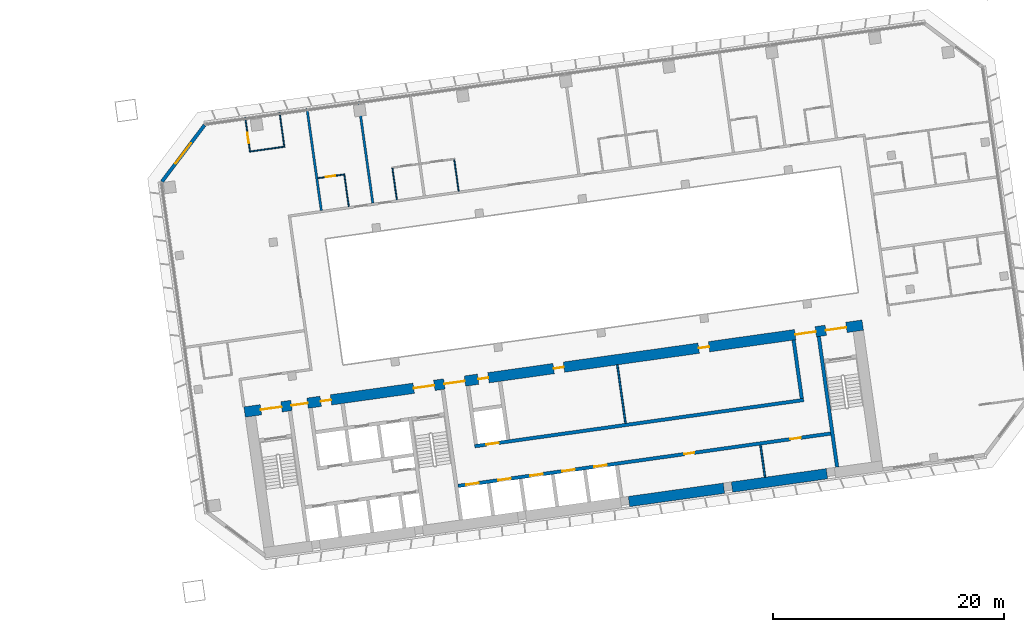
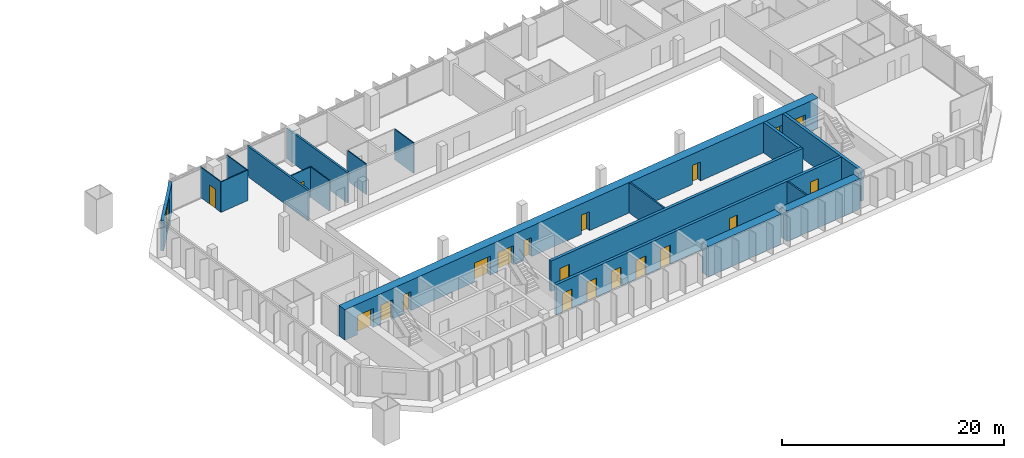
# One storey, part 19 of 24: 20 doors, 19 walls, 1 window, 21 openings.
"""IFC4 building model written with IfcOpenShell, lengths in metres."""

from ifc_helpers import new_model, si_unit, direction, frame, frame_2d, origin, place, context, subcontext, project, spatial, rectangle, extrude, material, layer, layer_set, type_object, element, fill, save


model = new_model("IFC4")

# Units and contexts
model_context = context("Model", 3, precision=1e-05, world=origin(), true_north=direction((0.0, 1.0)))
body_context = subcontext(model_context, "Body", "Model", "MODEL_VIEW")
ifc_project = project(units=[si_unit("LENGTHUNIT", "METRE"), si_unit("AREAUNIT", "SQUARE_METRE"), si_unit("VOLUMEUNIT", "CUBIC_METRE"), si_unit("PLANEANGLEUNIT", "RADIAN"), si_unit("MASSUNIT", "GRAM", prefix="KILO")], contexts=[model_context])

# Site, building, storey
site_placement = place(None, origin())
site = spatial("IfcSite", under=ifc_project, at=site_placement, CompositionType="ELEMENT")
building_placement = place(site_placement, origin())
building = spatial("IfcBuilding", under=site, at=building_placement, Name="Mirante Cascada Hotel Towers", CompositionType="ELEMENT")
storey_placement = place(building_placement, frame((0.0, 0.0, 81.3)))
storey = spatial("IfcBuildingStorey", under=building, at=storey_placement, Name="L17", CompositionType="ELEMENT", Elevation=81.3)

# Walls
ifc_material_1 = material(Name="Fire-rated plasterboard on metal studs")
ifc_layer_1 = layer(ifc_material_1, 0.2)
ifc_layer_set_1 = layer_set([ifc_layer_1], Name="Compartment wall 200 EI 120")
wall_type_1 = type_object("IfcWallType", Name="Compartment wall 200 EI 120", PredefinedType="PARTITIONING", material=ifc_layer_set_1)
for number, where, z_axis, x_axis, name in (
    (1, (41.963, 9.8805, 0.0), (0.0, 0.0, 1.0), (-0.1391794, 0.9902672, 0.0), "Wall 2-L17-26"),
    (2, (46.4192, 10.5068, 0.0), (0.0, 0.0, 1.0), (-0.1391794, 0.9902672, 0.0), "Wall 2-L17-28"),
):
    element("IfcWall", number, at=place(storey_placement, frame(where, z_axis=z_axis, x_axis=x_axis)), inside=storey, type_object=wall_type_1, Name=name, PredefinedType="PARTITIONING", context=body_context, shape_type="SweptSolid", body=[
        extrude(rectangle(XDim=8.9, YDim=0.2, at=frame_2d((4.45, 0.0))), origin(), (0.0, 0.0, 1.0), 3.35),
    ])
ifc_material_2 = material(Name="Masonry block", Category="masonry")
ifc_layer_2 = layer(ifc_material_2, 0.15)
ifc_layer_set_2 = layer_set([ifc_layer_2], Name="Core room partition 150 block EI 30")
wall_type_2 = type_object("IfcWallType", Name="Core room partition 150 block EI 30", PredefinedType="PARTITIONING", material=ifc_layer_set_2)
wall_1_placement = place(storey_placement, frame((80.349, -13.2018, 0.0), z_axis=(0.0, 0.0, 1.0), x_axis=(-0.139176, 0.9902677, 0.0)))
element("IfcWall", 3, at=wall_1_placement, inside=storey, type_object=wall_type_2, Name="Core wall partition T2 L17 4", PredefinedType="PARTITIONING", context=body_context, shape_type="SweptSolid", body=[
    extrude(rectangle(XDim=2.8001, YDim=0.15, at=frame_2d((1.4, 0.0))), origin(), (0.0, 0.0, 1.0), 3.35),
])
wall_2_placement = place(storey_placement, frame((68.2822, -8.5358, 0.0), z_axis=(0.0, 0.0, 1.0), x_axis=(-0.1391755, 0.9902677, 0.0)))
element("IfcWall", 4, at=wall_2_placement, inside=storey, type_object=wall_type_2, Name="Core wall partition T2 L17 5", PredefinedType="PARTITIONING", context=body_context, shape_type="SweptSolid", body=[
    extrude(rectangle(XDim=5.1, YDim=0.15, at=frame_2d((2.55, 0.0))), origin(), (0.0, 0.0, 1.0), 3.35),
])

# Wall, opening, door
ifc_material_3 = material(Name="Plasterboard on metal studs")
ifc_layer_3 = layer(ifc_material_3, 0.1)
ifc_layer_set_3 = layer_set([ifc_layer_3], Name="Partition 100")
wall_type_3 = type_object("IfcWallType", Name="Partition 100", PredefinedType="PARTITIONING", material=ifc_layer_set_3)
wall_3_placement = place(storey_placement, frame((41.6723, 12.6672, 0.0), z_axis=(0.0, 0.0, 1.0), x_axis=(0.9902643, 0.1391997, 0.0)))
wall_3 = element("IfcWall", 5, at=wall_3_placement, inside=storey, type_object=wall_type_3, Name="Wall 2-L17-14", PredefinedType="PARTITIONING", context=body_context, shape_type="SweptSolid", body=[
    extrude(rectangle(XDim=2.25, YDim=0.1, at=frame_2d((1.125, 0.0))), origin(), (0.0, 0.0, 1.0), 3.35),
])
opening_1_placement = place(wall_3_placement, frame((0.7, 0.0, 0.0)))
opening_1 = element("IfcOpeningElement", 6, at=opening_1_placement, cuts=wall_3, Name="Opening D2-L17-15", PredefinedType="OPENING", context=body_context, shape_type="SweptSolid", body=[
    extrude(rectangle(XDim=0.8, YDim=2.1, at=frame_2d((0.4, 1.05))), frame((0.0, 0.05, 0.0), z_axis=(0.0, -1.0, 0.0), x_axis=(1.0, 0.0, 0.0)), (0.0, 0.0, 1.0), 0.1),
])
ifc_material_4 = material(Name="Timber door leaf", Category="wood")
door_type_1 = type_object("IfcDoorType", Name="Bathroom door DG4 800x2100", OperationType="SINGLE_SWING_LEFT", PredefinedType="DOOR", material=ifc_material_4)
door_1_placement = place(opening_1_placement, origin())
door_1 = element("IfcDoor", 7, at=door_1_placement, inside=storey, type_object=door_type_1, Name="Door D2-L17-15", OperationType="SINGLE_SWING_LEFT", OverallHeight=2.1, OverallWidth=0.8, PredefinedType="DOOR", context=body_context, shape_type="SweptSolid", body=[
    extrude(rectangle(XDim=0.8, YDim=2.1, at=frame_2d((0.4, 1.05))), frame((0.0, 0.025, 0.0), z_axis=(0.0, -1.0, 0.0), x_axis=(1.0, 0.0, 0.0)), (0.0, 0.0, 1.0), 0.05),
])
fill(opening_1, door_1)

# Wall
wall_4_placement = place(storey_placement, frame((38.8147, 15.3961, 0.0), z_axis=(0.0, 0.0, 1.0), x_axis=(-0.9902651, -0.1391945, 0.0)))
element("IfcWall", 8, at=wall_4_placement, inside=storey, type_object=wall_type_3, Name="Wall 2-L17-19", PredefinedType="PARTITIONING", context=body_context, shape_type="SweptSolid", body=[
    extrude(rectangle(XDim=3.1, YDim=0.1, at=frame_2d((1.55, 0.0))), origin(), (0.0, 0.0, 1.0), 3.35),
])

# Wall, opening, door
wall_5_placement = place(storey_placement, frame((35.3769, 17.9424, 0.0), z_axis=(0.0, 0.0, 1.0), x_axis=(0.1391525, -0.990271, 0.0)))
wall_5 = element("IfcWall", 9, at=wall_5_placement, inside=storey, type_object=wall_type_3, Name="Wall 2-L17-23", PredefinedType="PARTITIONING", context=body_context, shape_type="SweptSolid", body=[
    extrude(rectangle(XDim=2.95, YDim=0.1, at=frame_2d((1.475, 0.0))), origin(), (0.0, 0.0, 1.0), 3.35),
])
opening_2_placement = place(wall_5_placement, frame((1.35, 0.0, 0.0)))
opening_2 = element("IfcOpeningElement", 10, at=opening_2_placement, cuts=wall_5, Name="Opening D2-L17-23", PredefinedType="OPENING", context=body_context, shape_type="SweptSolid", body=[
    extrude(rectangle(XDim=0.9, YDim=2.1, at=frame_2d((0.45, 1.05))), frame((0.0, 0.05, 0.0), z_axis=(0.0, -1.0, 0.0), x_axis=(1.0, 0.0, 0.0)), (0.0, 0.0, 1.0), 0.1),
])
ifc_material_5 = material(Name="Timber door leaf", Category="wood")
door_type_2 = type_object("IfcDoorType", Name="Room door DG3 900x2100", OperationType="SINGLE_SWING_LEFT", PredefinedType="DOOR", material=ifc_material_5)
door_2_placement = place(opening_2_placement, frame((0.9, 0.0, 0.0), z_axis=(0.0, 0.0, 1.0), x_axis=(-1.0, 0.0, 0.0)))
door_2 = element("IfcDoor", 11, at=door_2_placement, inside=storey, type_object=door_type_2, Name="Door D2-L17-23", OperationType="SINGLE_SWING_RIGHT", OverallHeight=2.1, OverallWidth=0.9, PredefinedType="DOOR", context=body_context, shape_type="SweptSolid", body=[
    extrude(rectangle(XDim=0.9, YDim=2.1, at=frame_2d((0.45, 1.05))), frame((0.0, 0.025, 0.0), z_axis=(0.0, -1.0, 0.0), x_axis=(1.0, 0.0, 0.0)), (0.0, 0.0, 1.0), 0.05),
])
fill(opening_2, door_2)

# Walls
wall_6_placement = place(storey_placement, frame((38.3477, 18.3599, 0.0), z_axis=(0.0, 0.0, 1.0), x_axis=(0.1391525, -0.990271, 0.0)))
element("IfcWall", 12, at=wall_6_placement, inside=storey, type_object=wall_type_3, Name="Wall 2-L17-25", PredefinedType="PARTITIONING", context=body_context, shape_type="SweptSolid", body=[
    extrude(rectangle(XDim=2.95, YDim=0.1, at=frame_2d((1.475, 0.0))), origin(), (0.0, 0.0, 1.0), 3.35),
])
wall_7_placement = place(storey_placement, frame((43.943, 13.0368, 0.0), z_axis=(0.0, 0.0, 1.0), x_axis=(0.1391613, -0.9902697, 0.0)))
element("IfcWall", 13, at=wall_7_placement, inside=storey, type_object=wall_type_3, Name="Wall 2-L17-27", PredefinedType="PARTITIONING", context=body_context, shape_type="SweptSolid", body=[
    extrude(rectangle(XDim=2.8499, YDim=0.1, at=frame_2d((1.425, 0.0))), origin(), (0.0, 0.0, 1.0), 3.35),
])
wall_8_placement = place(storey_placement, frame((48.116, 13.5223, 0.0), z_axis=(0.0, 0.0, 1.0), x_axis=(0.1391657, -0.9902691, 0.0)))
element("IfcWall", 14, at=wall_8_placement, inside=storey, type_object=wall_type_3, Name="Wall 2-L17-29", PredefinedType="PARTITIONING", context=body_context, shape_type="SweptSolid", body=[
    extrude(rectangle(XDim=2.75, YDim=0.1, at=frame_2d((1.375, 0.0))), origin(), (0.0, 0.0, 1.0), 3.35),
])
wall_9_placement = place(storey_placement, frame((53.4635, 14.2739, 0.0), z_axis=(0.0, 0.0, 1.0), x_axis=(0.1391607, -0.9902698, 0.0)))
element("IfcWall", 15, at=wall_9_placement, inside=storey, type_object=wall_type_3, Name="Wall 2-L17-31", PredefinedType="PARTITIONING", context=body_context, shape_type="SweptSolid", body=[
    extrude(rectangle(XDim=2.7501, YDim=0.1, at=frame_2d((1.3751, 0.0))), origin(), (0.0, 0.0, 1.0), 3.35),
])

# Wall, opening, window
ifc_material_6 = material(Name="Precast concrete C40/50", Category="concrete")
ifc_layer_4 = layer(ifc_material_6, 0.3)
ifc_layer_set_4 = layer_set([ifc_layer_4], Name="Precast concrete C40/50 cladding wall 300")
wall_type_4 = type_object("IfcWallType", Name="Precast concrete C40/50 cladding wall 300", PredefinedType="STANDARD", material=ifc_layer_set_4)
wall_10_placement = place(storey_placement, frame((31.857, 17.252, 0.0), z_axis=(0.0, 0.0, 1.0), x_axis=(-0.6018141, -0.7986362, 0.0)))
wall_10 = element("IfcWall", 16, at=wall_10_placement, inside=storey, type_object=wall_type_4, Name="Corner cladding wall T2 L17 front inner", PredefinedType="STANDARD", context=body_context, shape_type="SweptSolid", body=[
    extrude(rectangle(XDim=6.1157, YDim=0.3, at=frame_2d((3.0578, 0.0))), origin(), (0.0, 0.0, 1.0), 3.35),
])
opening_3_placement = place(wall_10_placement, frame((1.9578, 0.0, 0.6)))
opening_3 = element("IfcOpeningElement", 17, at=opening_3_placement, cuts=wall_10, Name="Opening W2-17-04", PredefinedType="OPENING", context=body_context, shape_type="SweptSolid", body=[
    extrude(rectangle(XDim=2.2, YDim=2.4, at=frame_2d((1.1, 1.2))), frame((0.0, 0.15, 0.0), z_axis=(0.0, -1.0, 0.0), x_axis=(1.0, 0.0, 0.0)), (0.0, 0.0, 1.0), 0.3),
])
ifc_material_7 = material(Name="Aluminium frame with clear double glazing", Category="aluminium")
window_type = type_object("IfcWindowType", Name="Corner suite window 2200x2400", PartitioningType="DOUBLE_PANEL_VERTICAL", PredefinedType="WINDOW", material=ifc_material_7)
window_placement = place(opening_3_placement, origin())
window = element("IfcWindow", 18, at=window_placement, inside=storey, type_object=window_type, Name="Window W2-17-04", OverallHeight=2.4, OverallWidth=2.2, PartitioningType="SINGLE_PANEL", PredefinedType="WINDOW", context=body_context, shape_type="SweptSolid", body=[
    extrude(rectangle(XDim=2.2, YDim=2.4, at=frame_2d((1.1, 1.2))), frame((0.0, 0.03, 0.0), z_axis=(0.0, -1.0, 0.0), x_axis=(1.0, 0.0, 0.0)), (0.0, 0.0, 1.0), 0.06),
])
fill(opening_3, window)

# Wall
ifc_material_8 = material(Name="Concrete C50/60", Category="concrete")
ifc_layer_5 = layer(ifc_material_8, 0.3)
ifc_layer_set_5 = layer_set([ifc_layer_5], Name="RC core wall 300 C50/60")
wall_type_5 = type_object("IfcWallType", Name="RC core wall 300 C50/60", PredefinedType="SHEAR", material=ifc_layer_set_5)
wall_11_placement = place(storey_placement, frame((86.5877, -12.325, 0.0), z_axis=(0.0, 0.0, 1.0), x_axis=(-0.1391749, 0.9902678, 0.0)))
element("IfcWall", 19, at=wall_11_placement, inside=storey, type_object=wall_type_5, Name="Core wall T2:L17:8", PredefinedType="SHEAR", context=body_context, shape_type="SweptSolid", body=[
    extrude(rectangle(XDim=11.4, YDim=0.3, at=frame_2d((5.7, 0.0))), origin(), (0.0, 0.0, 1.0), 3.35),
])

# Wall, openings, doors
wall_12_placement = place(storey_placement, frame((53.7953, -13.9547, 0.0), z_axis=(0.0, 0.0, 1.0), x_axis=(0.990268, 0.1391733, 0.0)))
wall_12 = element("IfcWall", 20, at=wall_12_placement, inside=storey, type_object=wall_type_5, Name="Core wall T2:L17:24", PredefinedType="SHEAR", context=body_context, shape_type="SweptSolid", body=[
    extrude(rectangle(XDim=32.5501, YDim=0.3, at=frame_2d((16.275, 0.0))), origin(), (0.0, 0.0, 1.0), 3.35),
])
opening_4_placement = place(wall_12_placement, frame((0.7, 0.0, 0.0)))
opening_4 = element("IfcOpeningElement", 21, at=opening_4_placement, cuts=wall_12, Name="Opening LD", PredefinedType="OPENING", context=body_context, shape_type="SweptSolid", body=[
    extrude(rectangle(XDim=1.1, YDim=2.1, at=frame_2d((0.55, 1.05))), frame((0.0, 0.15, 0.0), z_axis=(0.0, -1.0, 0.0), x_axis=(1.0, 0.0, 0.0)), (0.0, 0.0, 1.0), 0.3),
])
opening_5_placement = place(wall_12_placement, frame((3.5, 0.0, 0.0)))
opening_5 = element("IfcOpeningElement", 22, at=opening_5_placement, cuts=wall_12, Name="Opening LD", PredefinedType="OPENING", context=body_context, shape_type="SweptSolid", body=[
    extrude(rectangle(XDim=1.1, YDim=2.1, at=frame_2d((0.55, 1.05))), frame((0.0, 0.15, 0.0), z_axis=(0.0, -1.0, 0.0), x_axis=(1.0, 0.0, 0.0)), (0.0, 0.0, 1.0), 0.3),
])
opening_6_placement = place(wall_12_placement, frame((6.3, 0.0, 0.0)))
opening_6 = element("IfcOpeningElement", 23, at=opening_6_placement, cuts=wall_12, Name="Opening LD", PredefinedType="OPENING", context=body_context, shape_type="SweptSolid", body=[
    extrude(rectangle(XDim=1.1, YDim=2.1, at=frame_2d((0.55, 1.05))), frame((0.0, 0.15, 0.0), z_axis=(0.0, -1.0, 0.0), x_axis=(1.0, 0.0, 0.0)), (0.0, 0.0, 1.0), 0.3),
])
opening_7_placement = place(wall_12_placement, frame((9.1, 0.0, 0.0)))
opening_7 = element("IfcOpeningElement", 24, at=opening_7_placement, cuts=wall_12, Name="Opening LD", PredefinedType="OPENING", context=body_context, shape_type="SweptSolid", body=[
    extrude(rectangle(XDim=1.1, YDim=2.1, at=frame_2d((0.55, 1.05))), frame((0.0, 0.15, 0.0), z_axis=(0.0, -1.0, 0.0), x_axis=(1.0, 0.0, 0.0)), (0.0, 0.0, 1.0), 0.3),
])
opening_8_placement = place(wall_12_placement, frame((11.9, 0.0, 0.0)))
opening_8 = element("IfcOpeningElement", 25, at=opening_8_placement, cuts=wall_12, Name="Opening LD", PredefinedType="OPENING", context=body_context, shape_type="SweptSolid", body=[
    extrude(rectangle(XDim=1.1, YDim=2.1, at=frame_2d((0.55, 1.05))), frame((0.0, 0.15, 0.0), z_axis=(0.0, -1.0, 0.0), x_axis=(1.0, 0.0, 0.0)), (0.0, 0.0, 1.0), 0.3),
])
opening_9_placement = place(wall_12_placement, frame((19.75, 0.0, 0.0)))
opening_9 = element("IfcOpeningElement", 26, at=opening_9_placement, cuts=wall_12, Name="Opening D2-17-C25", PredefinedType="OPENING", context=body_context, shape_type="SweptSolid", body=[
    extrude(rectangle(XDim=0.9, YDim=2.1, at=frame_2d((0.45, 1.05))), frame((0.0, 0.15, 0.0), z_axis=(0.0, -1.0, 0.0), x_axis=(1.0, 0.0, 0.0)), (0.0, 0.0, 1.0), 0.3),
])
opening_10_placement = place(wall_12_placement, frame((29.025, 0.0, 0.0)))
opening_10 = element("IfcOpeningElement", 27, at=opening_10_placement, cuts=wall_12, Name="Opening D2-17-C26", PredefinedType="OPENING", context=body_context, shape_type="SweptSolid", body=[
    extrude(rectangle(XDim=0.9, YDim=2.1, at=frame_2d((0.45, 1.05))), frame((0.0, 0.15, 0.0), z_axis=(0.0, -1.0, 0.0), x_axis=(1.0, 0.0, 0.0)), (0.0, 0.0, 1.0), 0.3),
])
ifc_material_9 = material(Name="Hollow metal fire door leaf")
door_type_3 = type_object("IfcDoorType", Name="Fire door 900x2100 FD60", OperationType="NOTDEFINED", PredefinedType="DOOR", material=ifc_material_9)
door_3_placement = place(opening_9_placement, frame((0.9, 0.0, 0.0), z_axis=(0.0, 0.0, 1.0), x_axis=(-1.0, 0.0, 0.0)))
door_3 = element("IfcDoor", 28, at=door_3_placement, inside=storey, type_object=door_type_3, Name="Room door T2 L17 25", OperationType="SINGLE_SWING_RIGHT", OverallHeight=2.1, OverallWidth=0.9, PredefinedType="DOOR", context=body_context, shape_type="SweptSolid", body=[
    extrude(rectangle(XDim=0.9, YDim=2.1, at=frame_2d((0.45, 1.05))), frame((0.0, 0.025, 0.0), z_axis=(0.0, -1.0, 0.0), x_axis=(1.0, 0.0, 0.0)), (0.0, 0.0, 1.0), 0.05),
])
fill(opening_9, door_3)
door_4_placement = place(opening_10_placement, frame((0.9, 0.0, 0.0), z_axis=(0.0, 0.0, 1.0), x_axis=(-1.0, 0.0, 0.0)))
door_4 = element("IfcDoor", 29, at=door_4_placement, inside=storey, type_object=door_type_3, Name="Room door T2 L17 26", OperationType="SINGLE_SWING_RIGHT", OverallHeight=2.1, OverallWidth=0.9, PredefinedType="DOOR", context=body_context, shape_type="SweptSolid", body=[
    extrude(rectangle(XDim=0.9, YDim=2.1, at=frame_2d((0.45, 1.05))), frame((0.0, 0.025, 0.0), z_axis=(0.0, -1.0, 0.0), x_axis=(1.0, 0.0, 0.0)), (0.0, 0.0, 1.0), 0.05),
])
fill(opening_10, door_4)
ifc_material_10 = material(Name="Stainless steel", Category="steel")
door_type_4 = type_object("IfcDoorType", Name="Lift landing door 1100x2100 EI 120", OperationType="DOUBLE_DOOR_SLIDING", PredefinedType="DOOR", material=ifc_material_10)
door_5_placement = place(opening_4_placement, origin())
door_5 = element("IfcDoor", 30, at=door_5_placement, inside=storey, type_object=door_type_4, Name="Lift landing door LR2-1 L17", OperationType="DOUBLE_DOOR_SLIDING", OverallHeight=2.1, OverallWidth=1.1, PredefinedType="DOOR", context=body_context, shape_type="SweptSolid", body=[
    extrude(rectangle(XDim=0.545, YDim=2.1, at=frame_2d((0.2725, 1.05))), frame((0.0, 0.025, 0.0), z_axis=(0.0, -1.0, 0.0), x_axis=(1.0, 0.0, 0.0)), (0.0, 0.0, 1.0), 0.05),
    extrude(rectangle(XDim=0.545, YDim=2.1, at=frame_2d((0.8275, 1.05))), frame((0.0, 0.025, 0.0), z_axis=(0.0, -1.0, 0.0), x_axis=(1.0, 0.0, 0.0)), (0.0, 0.0, 1.0), 0.05),
])
fill(opening_4, door_5)
door_6_placement = place(opening_5_placement, origin())
door_6 = element("IfcDoor", 31, at=door_6_placement, inside=storey, type_object=door_type_4, Name="Lift landing door LR2-2 L17", OperationType="DOUBLE_DOOR_SLIDING", OverallHeight=2.1, OverallWidth=1.1, PredefinedType="DOOR", context=body_context, shape_type="SweptSolid", body=[
    extrude(rectangle(XDim=0.545, YDim=2.1, at=frame_2d((0.2725, 1.05))), frame((0.0, 0.025, 0.0), z_axis=(0.0, -1.0, 0.0), x_axis=(1.0, 0.0, 0.0)), (0.0, 0.0, 1.0), 0.05),
    extrude(rectangle(XDim=0.545, YDim=2.1, at=frame_2d((0.8275, 1.05))), frame((0.0, 0.025, 0.0), z_axis=(0.0, -1.0, 0.0), x_axis=(1.0, 0.0, 0.0)), (0.0, 0.0, 1.0), 0.05),
])
fill(opening_5, door_6)
door_7_placement = place(opening_6_placement, origin())
door_7 = element("IfcDoor", 32, at=door_7_placement, inside=storey, type_object=door_type_4, Name="Lift landing door SV2-1 L17", OperationType="DOUBLE_DOOR_SLIDING", OverallHeight=2.1, OverallWidth=1.1, PredefinedType="DOOR", context=body_context, shape_type="SweptSolid", body=[
    extrude(rectangle(XDim=0.545, YDim=2.1, at=frame_2d((0.2725, 1.05))), frame((0.0, 0.025, 0.0), z_axis=(0.0, -1.0, 0.0), x_axis=(1.0, 0.0, 0.0)), (0.0, 0.0, 1.0), 0.05),
    extrude(rectangle(XDim=0.545, YDim=2.1, at=frame_2d((0.8275, 1.05))), frame((0.0, 0.025, 0.0), z_axis=(0.0, -1.0, 0.0), x_axis=(1.0, 0.0, 0.0)), (0.0, 0.0, 1.0), 0.05),
])
fill(opening_6, door_7)
door_8_placement = place(opening_7_placement, origin())
door_8 = element("IfcDoor", 33, at=door_8_placement, inside=storey, type_object=door_type_4, Name="Lift landing door SV2-2 L17", OperationType="DOUBLE_DOOR_SLIDING", OverallHeight=2.1, OverallWidth=1.1, PredefinedType="DOOR", context=body_context, shape_type="SweptSolid", body=[
    extrude(rectangle(XDim=0.545, YDim=2.1, at=frame_2d((0.2725, 1.05))), frame((0.0, 0.025, 0.0), z_axis=(0.0, -1.0, 0.0), x_axis=(1.0, 0.0, 0.0)), (0.0, 0.0, 1.0), 0.05),
    extrude(rectangle(XDim=0.545, YDim=2.1, at=frame_2d((0.8275, 1.05))), frame((0.0, 0.025, 0.0), z_axis=(0.0, -1.0, 0.0), x_axis=(1.0, 0.0, 0.0)), (0.0, 0.0, 1.0), 0.05),
])
fill(opening_7, door_8)
door_9_placement = place(opening_8_placement, origin())
door_9 = element("IfcDoor", 34, at=door_9_placement, inside=storey, type_object=door_type_4, Name="Lift landing door SV2-3 L17", OperationType="DOUBLE_DOOR_SLIDING", OverallHeight=2.1, OverallWidth=1.1, PredefinedType="DOOR", context=body_context, shape_type="SweptSolid", body=[
    extrude(rectangle(XDim=0.545, YDim=2.1, at=frame_2d((0.2725, 1.05))), frame((0.0, 0.025, 0.0), z_axis=(0.0, -1.0, 0.0), x_axis=(1.0, 0.0, 0.0)), (0.0, 0.0, 1.0), 0.05),
    extrude(rectangle(XDim=0.545, YDim=2.1, at=frame_2d((0.8275, 1.05))), frame((0.0, 0.025, 0.0), z_axis=(0.0, -1.0, 0.0), x_axis=(1.0, 0.0, 0.0)), (0.0, 0.0, 1.0), 0.05),
])
fill(opening_8, door_9)

# Wall, opening, door
wall_13_placement = place(storey_placement, frame((55.2315, -10.5214, 0.0), z_axis=(0.0, 0.0, 1.0), x_axis=(0.9902682, 0.1391722, 0.0)))
wall_13 = element("IfcWall", 35, at=wall_13_placement, inside=storey, type_object=wall_type_5, Name="Core wall T2:L17:31", PredefinedType="SHEAR", context=body_context, shape_type="SweptSolid", body=[
    extrude(rectangle(XDim=28.75, YDim=0.3, at=frame_2d((14.375, 0.0))), origin(), (0.0, 0.0, 1.0), 3.35),
])
opening_11_placement = place(wall_13_placement, frame((1.0, 0.0, 0.0)))
opening_11 = element("IfcOpeningElement", 36, at=opening_11_placement, cuts=wall_13, Name="Opening LD", PredefinedType="OPENING", context=body_context, shape_type="SweptSolid", body=[
    extrude(rectangle(XDim=1.1, YDim=2.1, at=frame_2d((0.55, 1.05))), frame((0.0, 0.15, 0.0), z_axis=(0.0, -1.0, 0.0), x_axis=(1.0, 0.0, 0.0)), (0.0, 0.0, 1.0), 0.3),
])
door_10_placement = place(opening_11_placement, origin())
door_10 = element("IfcDoor", 37, at=door_10_placement, inside=storey, type_object=door_type_4, Name="Lift landing door LR2-3 L17", OperationType="DOUBLE_DOOR_SLIDING", OverallHeight=2.1, OverallWidth=1.1, PredefinedType="DOOR", context=body_context, shape_type="SweptSolid", body=[
    extrude(rectangle(XDim=0.545, YDim=2.1, at=frame_2d((0.2725, 1.05))), frame((0.0, 0.025, 0.0), z_axis=(0.0, -1.0, 0.0), x_axis=(1.0, 0.0, 0.0)), (0.0, 0.0, 1.0), 0.05),
    extrude(rectangle(XDim=0.545, YDim=2.1, at=frame_2d((0.8275, 1.05))), frame((0.0, 0.025, 0.0), z_axis=(0.0, -1.0, 0.0), x_axis=(1.0, 0.0, 0.0)), (0.0, 0.0, 1.0), 0.05),
])
fill(opening_11, door_10)

# Walls
wall_14_placement = place(storey_placement, frame((83.5323, -6.3925, 0.0), z_axis=(0.0, 0.0, 1.0), x_axis=(-0.1391755, 0.9902677, 0.0)))
element("IfcWall", 38, at=wall_14_placement, inside=storey, type_object=wall_type_5, Name="Core wall T2:L17:33", PredefinedType="SHEAR", context=body_context, shape_type="SweptSolid", body=[
    extrude(rectangle(XDim=5.1, YDim=0.3, at=frame_2d((2.55, 0.0))), origin(), (0.0, 0.0, 1.0), 3.35),
])
ifc_material_11 = material(Name="Concrete C50/60", Category="concrete")
ifc_layer_6 = layer(ifc_material_11, 0.9)
ifc_layer_set_6 = layer_set([ifc_layer_6], Name="RC core wall 900 C50/60")
wall_type_6 = type_object("IfcWallType", Name="RC core wall 900 C50/60", PredefinedType="SHEAR", material=ifc_layer_set_6)
for number, where, z_axis, x_axis, name in (
    (39, (68.5779, -15.3105, 0.0), (0.0, 0.0, 1.0), (0.9902686, 0.1391692, 0.0), "Core wall T2:L17:1.5"),
    (40, (77.4903, -14.058, 0.0), (0.0, 0.0, 1.0), (0.990267, 0.139181, 0.0), "Core wall T2:L17:1.6"),
):
    element("IfcWall", number, at=place(storey_placement, frame(where, z_axis=z_axis, x_axis=x_axis)), inside=storey, type_object=wall_type_6, Name=name, PredefinedType="SHEAR", context=body_context, shape_type="SweptSolid", body=[
        extrude(rectangle(XDim=8.3, YDim=0.9, at=frame_2d((4.15, 0.0))), origin(), (0.0, 0.0, 1.0), 3.35),
    ])

# Wall, openings, doors
wall_15_placement = place(storey_placement, frame((35.326, -7.5629, 0.0), z_axis=(0.0, 0.0, 1.0), x_axis=(0.9902679, 0.139174, 0.0)))
wall_15 = element("IfcWall", 41, at=wall_15_placement, inside=storey, type_object=wall_type_6, Name="Core wall T2:L17:2", PredefinedType="SHEAR", context=body_context, shape_type="SweptSolid", body=[
    extrude(rectangle(XDim=54.0, YDim=0.9, at=frame_2d((27.0, 0.0))), origin(), (0.0, 0.0, 1.0), 3.35),
])
opening_12_placement = place(wall_15_placement, frame((1.425, 0.0, 0.0)))
opening_12 = element("IfcOpeningElement", 42, at=opening_12_placement, cuts=wall_15, Name="Opening D2-17-C14", PredefinedType="OPENING", context=body_context, shape_type="SweptSolid", body=[
    extrude(rectangle(XDim=1.8, YDim=2.1, at=frame_2d((0.9, 1.05))), frame((0.0, 0.45, 0.0), z_axis=(0.0, -1.0, 0.0), x_axis=(1.0, 0.0, 0.0)), (0.0, 0.0, 1.0), 0.9),
])
opening_13_placement = place(wall_15_placement, frame((14.775, 0.0, 0.0)))
opening_13 = element("IfcOpeningElement", 43, at=opening_13_placement, cuts=wall_15, Name="Opening D2-17-C16", PredefinedType="OPENING", context=body_context, shape_type="SweptSolid", body=[
    extrude(rectangle(XDim=1.8, YDim=2.1, at=frame_2d((0.9, 1.05))), frame((0.0, 0.45, 0.0), z_axis=(0.0, -1.0, 0.0), x_axis=(1.0, 0.0, 0.0)), (0.0, 0.0, 1.0), 0.9),
])
opening_14_placement = place(wall_15_placement, frame((50.775, 0.0, 0.0)))
opening_14 = element("IfcOpeningElement", 44, at=opening_14_placement, cuts=wall_15, Name="Opening D2-17-C18", PredefinedType="OPENING", context=body_context, shape_type="SweptSolid", body=[
    extrude(rectangle(XDim=1.8, YDim=2.1, at=frame_2d((0.9, 1.05))), frame((0.0, 0.45, 0.0), z_axis=(0.0, -1.0, 0.0), x_axis=(1.0, 0.0, 0.0)), (0.0, 0.0, 1.0), 0.9),
])
opening_15_placement = place(wall_15_placement, frame((4.1, 0.0, 0.0)))
opening_15 = element("IfcOpeningElement", 45, at=opening_15_placement, cuts=wall_15, Name="Opening D2-17-C19", PredefinedType="OPENING", context=body_context, shape_type="SweptSolid", body=[
    extrude(rectangle(XDim=1.4, YDim=2.1, at=frame_2d((0.7, 1.05))), frame((0.0, 0.45, 0.0), z_axis=(0.0, -1.0, 0.0), x_axis=(1.0, 0.0, 0.0)), (0.0, 0.0, 1.0), 0.9),
])
opening_16_placement = place(wall_15_placement, frame((17.45, 0.0, 0.0)))
opening_16 = element("IfcOpeningElement", 46, at=opening_16_placement, cuts=wall_15, Name="Opening D2-17-C20", PredefinedType="OPENING", context=body_context, shape_type="SweptSolid", body=[
    extrude(rectangle(XDim=1.8, YDim=2.1, at=frame_2d((0.9, 1.05))), frame((0.0, 0.45, 0.0), z_axis=(0.0, -1.0, 0.0), x_axis=(1.0, 0.0, 0.0)), (0.0, 0.0, 1.0), 0.9),
])
opening_17_placement = place(wall_15_placement, frame((48.1, 0.0, 0.0)))
opening_17 = element("IfcOpeningElement", 47, at=opening_17_placement, cuts=wall_15, Name="Opening D2-17-C21", PredefinedType="OPENING", context=body_context, shape_type="SweptSolid", body=[
    extrude(rectangle(XDim=1.8, YDim=2.1, at=frame_2d((0.9, 1.05))), frame((0.0, 0.45, 0.0), z_axis=(0.0, -1.0, 0.0), x_axis=(1.0, 0.0, 0.0)), (0.0, 0.0, 1.0), 0.9),
])
opening_18_placement = place(wall_15_placement, frame((6.65, 0.0, 0.0)))
opening_18 = element("IfcOpeningElement", 48, at=opening_18_placement, cuts=wall_15, Name="Opening D2-17-C24", PredefinedType="OPENING", context=body_context, shape_type="SweptSolid", body=[
    extrude(rectangle(XDim=0.9, YDim=2.1, at=frame_2d((0.45, 1.05))), frame((0.0, 0.45, 0.0), z_axis=(0.0, -1.0, 0.0), x_axis=(1.0, 0.0, 0.0)), (0.0, 0.0, 1.0), 0.9),
])
opening_19_placement = place(wall_15_placement, frame((20.4, 0.0, 0.0)))
opening_19 = element("IfcOpeningElement", 49, at=opening_19_placement, cuts=wall_15, Name="Opening D2-17-C27", PredefinedType="OPENING", context=body_context, shape_type="SweptSolid", body=[
    extrude(rectangle(XDim=0.9, YDim=2.1, at=frame_2d((0.45, 1.05))), frame((0.0, 0.45, 0.0), z_axis=(0.0, -1.0, 0.0), x_axis=(1.0, 0.0, 0.0)), (0.0, 0.0, 1.0), 0.9),
])
opening_20_placement = place(wall_15_placement, frame((27.0, 0.0, 0.0)))
opening_20 = element("IfcOpeningElement", 50, at=opening_20_placement, cuts=wall_15, Name="Opening D2-17-C28", PredefinedType="OPENING", context=body_context, shape_type="SweptSolid", body=[
    extrude(rectangle(XDim=0.9, YDim=2.1, at=frame_2d((0.45, 1.05))), frame((0.0, 0.45, 0.0), z_axis=(0.0, -1.0, 0.0), x_axis=(1.0, 0.0, 0.0)), (0.0, 0.0, 1.0), 0.9),
])
opening_21_placement = place(wall_15_placement, frame((39.675, 0.0, 0.0)))
opening_21 = element("IfcOpeningElement", 51, at=opening_21_placement, cuts=wall_15, Name="Opening D2-17-C29", PredefinedType="OPENING", context=body_context, shape_type="SweptSolid", body=[
    extrude(rectangle(XDim=0.9, YDim=2.1, at=frame_2d((0.45, 1.05))), frame((0.0, 0.45, 0.0), z_axis=(0.0, -1.0, 0.0), x_axis=(1.0, 0.0, 0.0)), (0.0, 0.0, 1.0), 0.9),
])
ifc_material_12 = material(Name="Hollow metal fire door leaf")
door_type_5 = type_object("IfcDoorType", Name="Double fire door 1400x2100 FD60", OperationType="DOUBLE_DOOR_SINGLE_SWING", PredefinedType="DOOR", material=ifc_material_12)
door_11_placement = place(opening_15_placement, origin())
door_11 = element("IfcDoor", 52, at=door_11_placement, inside=storey, type_object=door_type_5, Name="Exit door to gallery T2 L17 19", OperationType="DOUBLE_DOOR_SINGLE_SWING", OverallHeight=2.1, OverallWidth=1.4, PredefinedType="DOOR", context=body_context, shape_type="SweptSolid", body=[
    extrude(rectangle(XDim=0.695, YDim=2.1, at=frame_2d((0.3475, 1.05))), frame((0.0, 0.025, 0.0), z_axis=(0.0, -1.0, 0.0), x_axis=(1.0, 0.0, 0.0)), (0.0, 0.0, 1.0), 0.05),
    extrude(rectangle(XDim=0.695, YDim=2.1, at=frame_2d((1.0525, 1.05))), frame((0.0, 0.025, 0.0), z_axis=(0.0, -1.0, 0.0), x_axis=(1.0, 0.0, 0.0)), (0.0, 0.0, 1.0), 0.05),
])
fill(opening_15, door_11)
ifc_material_13 = material(Name="Hollow metal fire door leaf")
door_type_6 = type_object("IfcDoorType", Name="Double fire door 1800x2100 FD60", OperationType="DOUBLE_DOOR_SINGLE_SWING", PredefinedType="DOOR", material=ifc_material_13)
door_12_placement = place(opening_12_placement, frame((1.8, 0.0, 0.0), z_axis=(0.0, 0.0, 1.0), x_axis=(-1.0, 0.0, 0.0)))
door_12 = element("IfcDoor", 53, at=door_12_placement, inside=storey, type_object=door_type_6, Name="Exit door to gallery T2 L17 14", OperationType="DOUBLE_DOOR_SINGLE_SWING", OverallHeight=2.1, OverallWidth=1.8, PredefinedType="DOOR", context=body_context, shape_type="SweptSolid", body=[
    extrude(rectangle(XDim=0.895, YDim=2.1, at=frame_2d((0.4475, 1.05))), frame((0.0, 0.025, 0.0), z_axis=(0.0, -1.0, 0.0), x_axis=(1.0, 0.0, 0.0)), (0.0, 0.0, 1.0), 0.05),
    extrude(rectangle(XDim=0.895, YDim=2.1, at=frame_2d((1.3525, 1.05))), frame((0.0, 0.025, 0.0), z_axis=(0.0, -1.0, 0.0), x_axis=(1.0, 0.0, 0.0)), (0.0, 0.0, 1.0), 0.05),
])
fill(opening_12, door_12)
door_13_placement = place(opening_13_placement, frame((1.8, 0.0, 0.0), z_axis=(0.0, 0.0, 1.0), x_axis=(-1.0, 0.0, 0.0)))
door_13 = element("IfcDoor", 54, at=door_13_placement, inside=storey, type_object=door_type_6, Name="Exit door to gallery T2 L17 16", OperationType="DOUBLE_DOOR_SINGLE_SWING", OverallHeight=2.1, OverallWidth=1.8, PredefinedType="DOOR", context=body_context, shape_type="SweptSolid", body=[
    extrude(rectangle(XDim=0.895, YDim=2.1, at=frame_2d((0.4475, 1.05))), frame((0.0, 0.025, 0.0), z_axis=(0.0, -1.0, 0.0), x_axis=(1.0, 0.0, 0.0)), (0.0, 0.0, 1.0), 0.05),
    extrude(rectangle(XDim=0.895, YDim=2.1, at=frame_2d((1.3525, 1.05))), frame((0.0, 0.025, 0.0), z_axis=(0.0, -1.0, 0.0), x_axis=(1.0, 0.0, 0.0)), (0.0, 0.0, 1.0), 0.05),
])
fill(opening_13, door_13)
door_14_placement = place(opening_14_placement, frame((1.8, 0.0, 0.0), z_axis=(0.0, 0.0, 1.0), x_axis=(-1.0, 0.0, 0.0)))
door_14 = element("IfcDoor", 55, at=door_14_placement, inside=storey, type_object=door_type_6, Name="Exit door to gallery T2 L17 18", OperationType="DOUBLE_DOOR_SINGLE_SWING", OverallHeight=2.1, OverallWidth=1.8, PredefinedType="DOOR", context=body_context, shape_type="SweptSolid", body=[
    extrude(rectangle(XDim=0.895, YDim=2.1, at=frame_2d((0.4475, 1.05))), frame((0.0, 0.025, 0.0), z_axis=(0.0, -1.0, 0.0), x_axis=(1.0, 0.0, 0.0)), (0.0, 0.0, 1.0), 0.05),
    extrude(rectangle(XDim=0.895, YDim=2.1, at=frame_2d((1.3525, 1.05))), frame((0.0, 0.025, 0.0), z_axis=(0.0, -1.0, 0.0), x_axis=(1.0, 0.0, 0.0)), (0.0, 0.0, 1.0), 0.05),
])
fill(opening_14, door_14)
door_15_placement = place(opening_16_placement, origin())
door_15 = element("IfcDoor", 56, at=door_15_placement, inside=storey, type_object=door_type_6, Name="Exit door to gallery T2 L17 20", OperationType="DOUBLE_DOOR_SINGLE_SWING", OverallHeight=2.1, OverallWidth=1.8, PredefinedType="DOOR", context=body_context, shape_type="SweptSolid", body=[
    extrude(rectangle(XDim=0.895, YDim=2.1, at=frame_2d((0.4475, 1.05))), frame((0.0, 0.025, 0.0), z_axis=(0.0, -1.0, 0.0), x_axis=(1.0, 0.0, 0.0)), (0.0, 0.0, 1.0), 0.05),
    extrude(rectangle(XDim=0.895, YDim=2.1, at=frame_2d((1.3525, 1.05))), frame((0.0, 0.025, 0.0), z_axis=(0.0, -1.0, 0.0), x_axis=(1.0, 0.0, 0.0)), (0.0, 0.0, 1.0), 0.05),
])
fill(opening_16, door_15)
door_16_placement = place(opening_17_placement, origin())
door_16 = element("IfcDoor", 57, at=door_16_placement, inside=storey, type_object=door_type_6, Name="Exit door to gallery T2 L17 21", OperationType="DOUBLE_DOOR_SINGLE_SWING", OverallHeight=2.1, OverallWidth=1.8, PredefinedType="DOOR", context=body_context, shape_type="SweptSolid", body=[
    extrude(rectangle(XDim=0.895, YDim=2.1, at=frame_2d((0.4475, 1.05))), frame((0.0, 0.025, 0.0), z_axis=(0.0, -1.0, 0.0), x_axis=(1.0, 0.0, 0.0)), (0.0, 0.0, 1.0), 0.05),
    extrude(rectangle(XDim=0.895, YDim=2.1, at=frame_2d((1.3525, 1.05))), frame((0.0, 0.025, 0.0), z_axis=(0.0, -1.0, 0.0), x_axis=(1.0, 0.0, 0.0)), (0.0, 0.0, 1.0), 0.05),
])
fill(opening_17, door_16)
door_17_placement = place(opening_18_placement, frame((0.9, 0.0, 0.0), z_axis=(0.0, 0.0, 1.0), x_axis=(-1.0, 0.0, 0.0)))
door_17 = element("IfcDoor", 58, at=door_17_placement, inside=storey, type_object=door_type_3, Name="Room door T2 L17 24", OperationType="SINGLE_SWING_LEFT", OverallHeight=2.1, OverallWidth=0.9, PredefinedType="DOOR", context=body_context, shape_type="SweptSolid", body=[
    extrude(rectangle(XDim=0.9, YDim=2.1, at=frame_2d((0.45, 1.05))), frame((0.0, 0.025, 0.0), z_axis=(0.0, -1.0, 0.0), x_axis=(1.0, 0.0, 0.0)), (0.0, 0.0, 1.0), 0.05),
])
fill(opening_18, door_17)
door_18_placement = place(opening_19_placement, frame((0.9, 0.0, 0.0), z_axis=(0.0, 0.0, 1.0), x_axis=(-1.0, 0.0, 0.0)))
door_18 = element("IfcDoor", 59, at=door_18_placement, inside=storey, type_object=door_type_3, Name="Room door T2 L17 27", OperationType="SINGLE_SWING_LEFT", OverallHeight=2.1, OverallWidth=0.9, PredefinedType="DOOR", context=body_context, shape_type="SweptSolid", body=[
    extrude(rectangle(XDim=0.9, YDim=2.1, at=frame_2d((0.45, 1.05))), frame((0.0, 0.025, 0.0), z_axis=(0.0, -1.0, 0.0), x_axis=(1.0, 0.0, 0.0)), (0.0, 0.0, 1.0), 0.05),
])
fill(opening_19, door_18)
door_19_placement = place(opening_20_placement, frame((0.9, 0.0, 0.0), z_axis=(0.0, 0.0, 1.0), x_axis=(-1.0, 0.0, 0.0)))
door_19 = element("IfcDoor", 60, at=door_19_placement, inside=storey, type_object=door_type_3, Name="Room door T2 L17 28", OperationType="SINGLE_SWING_LEFT", OverallHeight=2.1, OverallWidth=0.9, PredefinedType="DOOR", context=body_context, shape_type="SweptSolid", body=[
    extrude(rectangle(XDim=0.9, YDim=2.1, at=frame_2d((0.45, 1.05))), frame((0.0, 0.025, 0.0), z_axis=(0.0, -1.0, 0.0), x_axis=(1.0, 0.0, 0.0)), (0.0, 0.0, 1.0), 0.05),
])
fill(opening_20, door_19)
door_20_placement = place(opening_21_placement, frame((0.9, 0.0, 0.0), z_axis=(0.0, 0.0, 1.0), x_axis=(-1.0, 0.0, 0.0)))
door_20 = element("IfcDoor", 61, at=door_20_placement, inside=storey, type_object=door_type_3, Name="Room door T2 L17 29", OperationType="SINGLE_SWING_RIGHT", OverallHeight=2.1, OverallWidth=0.9, PredefinedType="DOOR", context=body_context, shape_type="SweptSolid", body=[
    extrude(rectangle(XDim=0.9, YDim=2.1, at=frame_2d((0.45, 1.05))), frame((0.0, 0.025, 0.0), z_axis=(0.0, -1.0, 0.0), x_axis=(1.0, 0.0, 0.0)), (0.0, 0.0, 1.0), 0.05),
])
fill(opening_21, door_20)

save(model, "model.ifc")
